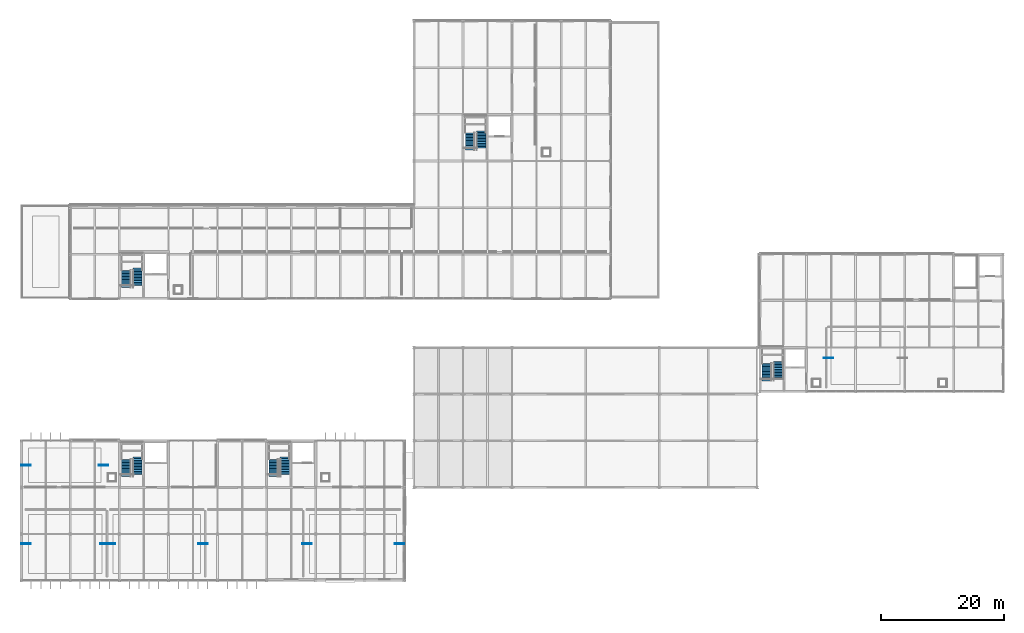
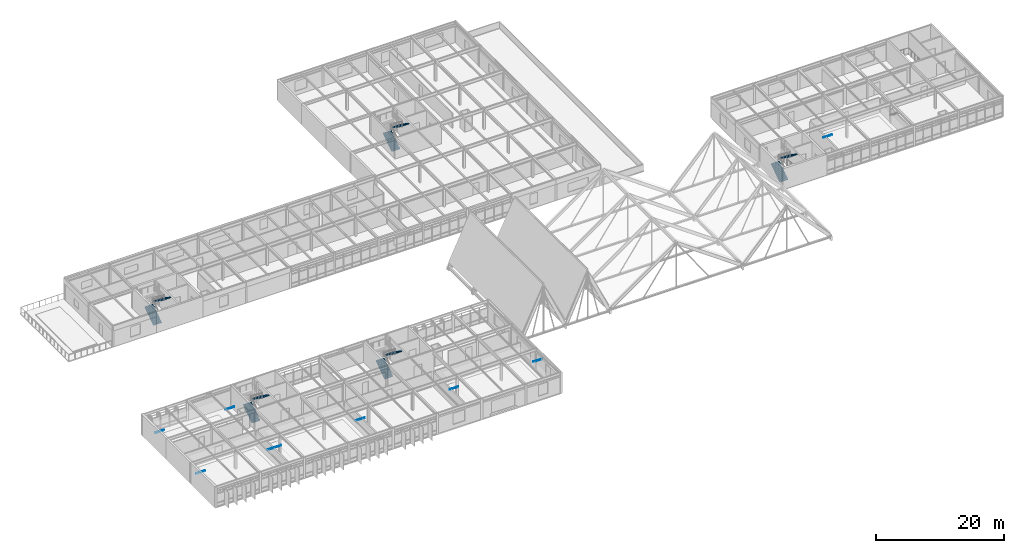
# One storey, part 75 of 85: 10 stair flights, 9 discrete accessories, 5 elements without a shape of their own.
"""IFC4 building model written with IfcOpenShell, lengths in metres."""

from ifc_helpers import new_model, si_unit, direction, frame, origin, origin_2d, place, context, subcontext, project, spatial, polyline, rectangle, outline, extrude, material, layer, layer_set, type_object, element, aggregate, save


model = new_model("IFC4")

# Units and contexts
model_context = context("Model", 3, precision=1e-05, world=origin(), true_north=direction((0.0, 1.0)))
body_context = subcontext(model_context, "Body", "Model", "MODEL_VIEW")
ifc_project = project(units=[si_unit("LENGTHUNIT", "METRE"), si_unit("AREAUNIT", "SQUARE_METRE"), si_unit("VOLUMEUNIT", "CUBIC_METRE"), si_unit("PLANEANGLEUNIT", "RADIAN"), si_unit("MASSUNIT", "GRAM", prefix="KILO")], contexts=[model_context])

# Site, building, storey
site_placement = place(None, origin())
site = spatial("IfcSite", under=ifc_project, at=site_placement, CompositionType="ELEMENT")
building_placement = place(site_placement, origin())
building = spatial("IfcBuilding", under=site, at=building_placement, Name="Zulena Civic Courthouse", CompositionType="ELEMENT")
storey_placement = place(building_placement, frame((0.0, 0.0, 25.199951171875)))
storey = spatial("IfcBuildingStorey", under=building, at=storey_placement, Name="L05", CompositionType="ELEMENT", Elevation=25.199951171875)

# Stair, stair flights
ifc_material_1 = material(Name="Precast concrete C40/50", Category="concrete")
stair_type = type_object("IfcStairType", Name="HalfTurnStair_4200", PredefinedType="HALF_TURN_STAIR", material=ifc_material_1)
stair_1_placement = place(storey_placement, origin())
stair_1 = element("IfcStair", 1, at=stair_1_placement, inside=storey, type_object=stair_type, Name="stair:K2A:L05", PredefinedType="HALF_TURN_STAIR")
stair_flight_type = type_object("IfcStairFlightType", Name="StairFlight_4200", PredefinedType="STRAIGHT", material=ifc_material_1)
stair_flight_1_placement = place(storey_placement, frame((21.1298828125, 16.97998046875, 0.0), z_axis=(0.0, 0.0, 1.0), x_axis=(0.0, 1.0, 0.0)))
stair_flight_1 = element("IfcStairFlight", 2, at=stair_flight_1_placement, type_object=stair_flight_type, Name="stair:K2A:L05:F1", NumberOfRisers=12, NumberOfTreads=11, PredefinedType="STRAIGHT", RiserHeight=0.175, TreadLength=0.255, context=body_context, shape_type="SweptSolid", body=[
    extrude(outline(polyline([(0.0, 0.0), (0.0, 0.175048828125), (0.2548828125, 0.175048828125), (0.2548828125, 0.35009765625), (0.510009765625, 0.35009765625), (0.510009765625, 0.52490234375), (0.764892578125, 0.52490234375), (0.764892578125, 0.699951171875), (1.02001953125, 0.699951171875), (1.02001953125, 0.875), (1.27490234375, 0.875), (1.27490234375, 1.050048828125), (1.530029296875, 1.050048828125), (1.530029296875, 1.22509765625), (1.784912109375, 1.22509765625), (1.784912109375, 1.39990234375), (2.0400390625, 1.39990234375), (2.0400390625, 1.574951171875), (2.294921875, 1.574951171875), (2.294921875, 1.75), (2.550048828125, 1.75), (2.550048828125, 1.925048828125), (2.804931640625, 1.925048828125), (2.804931640625, 2.10009765625), (2.804931640625, 1.797607421875), (0.185546875, 0.0), (0.0, 0.0)])), frame((0.0, 0.75, 0.0), z_axis=(0.0, -1.0, 0.0), x_axis=(1.0, 0.0, 0.0)), (0.0, 0.0, 1.0), 1.5),
])
stair_flight_2_placement = place(storey_placement, frame((22.969970703125, 20.124755859375, 2.10009765625), z_axis=(0.0, 0.0, 1.0), x_axis=(0.0, -1.0, 0.0)))
stair_flight_2 = element("IfcStairFlight", 3, at=stair_flight_2_placement, type_object=stair_flight_type, Name="stair:K2A:L05:F2", NumberOfRisers=12, NumberOfTreads=11, PredefinedType="STRAIGHT", RiserHeight=0.175, TreadLength=0.255, context=body_context, shape_type="SweptSolid", body=[
    extrude(outline(polyline([(0.0, 0.0), (0.0, 0.175048828125), (0.2548828125, 0.175048828125), (0.2548828125, 0.35009765625), (0.510009765625, 0.35009765625), (0.510009765625, 0.52490234375), (0.764892578125, 0.52490234375), (0.764892578125, 0.699951171875), (1.02001953125, 0.699951171875), (1.02001953125, 0.875), (1.27490234375, 0.875), (1.27490234375, 1.050048828125), (1.530029296875, 1.050048828125), (1.530029296875, 1.22509765625), (1.784912109375, 1.22509765625), (1.784912109375, 1.39990234375), (2.0400390625, 1.39990234375), (2.0400390625, 1.574951171875), (2.294921875, 1.574951171875), (2.294921875, 1.75), (2.550048828125, 1.75), (2.550048828125, 1.925048828125), (2.804931640625, 1.925048828125), (2.804931640625, 2.10009765625), (2.804931640625, 1.797607421875), (0.185546875, 0.0), (0.0, 0.0)])), frame((0.0, 0.75, 0.0), z_axis=(0.0, -1.0, 0.0), x_axis=(1.0, 0.0, 0.0)), (0.0, 0.0, 1.0), 1.5),
])
aggregate(stair_1, [stair_flight_1, stair_flight_2])

stair_2_placement = place(storey_placement, origin())
stair_2 = element("IfcStair", 4, at=stair_2_placement, inside=storey, type_object=stair_type, Name="stair:K2B:L05", PredefinedType="HALF_TURN_STAIR")
stair_flight_3_placement = place(storey_placement, frame((45.1298828125, 16.97998046875, 0.0), z_axis=(0.0, 0.0, 1.0), x_axis=(0.0, 1.0, 0.0)))
stair_flight_3 = element("IfcStairFlight", 5, at=stair_flight_3_placement, type_object=stair_flight_type, Name="stair:K2B:L05:F1", NumberOfRisers=12, NumberOfTreads=11, PredefinedType="STRAIGHT", RiserHeight=0.175, TreadLength=0.255, context=body_context, shape_type="SweptSolid", body=[
    extrude(outline(polyline([(0.0, 0.0), (0.0, 0.175048828125), (0.2548828125, 0.175048828125), (0.2548828125, 0.35009765625), (0.510009765625, 0.35009765625), (0.510009765625, 0.52490234375), (0.764892578125, 0.52490234375), (0.764892578125, 0.699951171875), (1.02001953125, 0.699951171875), (1.02001953125, 0.875), (1.27490234375, 0.875), (1.27490234375, 1.050048828125), (1.530029296875, 1.050048828125), (1.530029296875, 1.22509765625), (1.784912109375, 1.22509765625), (1.784912109375, 1.39990234375), (2.0400390625, 1.39990234375), (2.0400390625, 1.574951171875), (2.294921875, 1.574951171875), (2.294921875, 1.75), (2.550048828125, 1.75), (2.550048828125, 1.925048828125), (2.804931640625, 1.925048828125), (2.804931640625, 2.10009765625), (2.804931640625, 1.797607421875), (0.185546875, 0.0), (0.0, 0.0)])), frame((0.0, 0.75, 0.0), z_axis=(0.0, -1.0, 0.0), x_axis=(1.0, 0.0, 0.0)), (0.0, 0.0, 1.0), 1.5),
])
stair_flight_4_placement = place(storey_placement, frame((46.969970703125, 20.124755859375, 2.10009765625), z_axis=(0.0, 0.0, 1.0), x_axis=(0.0, -1.0, 0.0)))
stair_flight_4 = element("IfcStairFlight", 6, at=stair_flight_4_placement, type_object=stair_flight_type, Name="stair:K2B:L05:F2", NumberOfRisers=12, NumberOfTreads=11, PredefinedType="STRAIGHT", RiserHeight=0.175, TreadLength=0.255, context=body_context, shape_type="SweptSolid", body=[
    extrude(outline(polyline([(0.0, 0.0), (0.0, 0.175048828125), (0.2548828125, 0.175048828125), (0.2548828125, 0.35009765625), (0.510009765625, 0.35009765625), (0.510009765625, 0.52490234375), (0.764892578125, 0.52490234375), (0.764892578125, 0.699951171875), (1.02001953125, 0.699951171875), (1.02001953125, 0.875), (1.27490234375, 0.875), (1.27490234375, 1.050048828125), (1.530029296875, 1.050048828125), (1.530029296875, 1.22509765625), (1.784912109375, 1.22509765625), (1.784912109375, 1.39990234375), (2.0400390625, 1.39990234375), (2.0400390625, 1.574951171875), (2.294921875, 1.574951171875), (2.294921875, 1.75), (2.550048828125, 1.75), (2.550048828125, 1.925048828125), (2.804931640625, 1.925048828125), (2.804931640625, 2.10009765625), (2.804931640625, 1.797607421875), (0.185546875, 0.0), (0.0, 0.0)])), frame((0.0, 0.75, 0.0), z_axis=(0.0, -1.0, 0.0), x_axis=(1.0, 0.0, 0.0)), (0.0, 0.0, 1.0), 1.5),
])
aggregate(stair_2, [stair_flight_3, stair_flight_4])

stair_3_placement = place(storey_placement, origin())
stair_3 = element("IfcStair", 7, at=stair_3_placement, inside=storey, type_object=stair_type, Name="stair:K3A:L05", PredefinedType="HALF_TURN_STAIR")
stair_flight_5_placement = place(storey_placement, frame((125.530029296875, 32.580078125, 0.0), z_axis=(0.0, 0.0, 1.0), x_axis=(0.0, 1.0, 0.0)))
stair_flight_5 = element("IfcStairFlight", 8, at=stair_flight_5_placement, type_object=stair_flight_type, Name="stair:K3A:L05:F1", NumberOfRisers=12, NumberOfTreads=11, PredefinedType="STRAIGHT", RiserHeight=0.175, TreadLength=0.255, context=body_context, shape_type="SweptSolid", body=[
    extrude(outline(polyline([(0.0, 0.0), (0.0, 0.175048828125), (0.2548828125, 0.175048828125), (0.2548828125, 0.35009765625), (0.510009765625, 0.35009765625), (0.510009765625, 0.52490234375), (0.764892578125, 0.52490234375), (0.764892578125, 0.699951171875), (1.02001953125, 0.699951171875), (1.02001953125, 0.875), (1.27490234375, 0.875), (1.27490234375, 1.050048828125), (1.530029296875, 1.050048828125), (1.530029296875, 1.22509765625), (1.784912109375, 1.22509765625), (1.784912109375, 1.39990234375), (2.0400390625, 1.39990234375), (2.0400390625, 1.574951171875), (2.294921875, 1.574951171875), (2.294921875, 1.75), (2.550048828125, 1.75), (2.550048828125, 1.925048828125), (2.804931640625, 1.925048828125), (2.804931640625, 2.10009765625), (2.804931640625, 1.797607421875), (0.185546875, 0.0), (0.0, 0.0)])), frame((0.0, 0.75, 0.0), z_axis=(0.0, -1.0, 0.0), x_axis=(1.0, 0.0, 0.0)), (0.0, 0.0, 1.0), 1.5),
])
stair_flight_6_placement = place(storey_placement, frame((127.3701171875, 35.724609375, 2.10009765625), z_axis=(0.0, 0.0, 1.0), x_axis=(0.0, -1.0, 0.0)))
stair_flight_6 = element("IfcStairFlight", 9, at=stair_flight_6_placement, type_object=stair_flight_type, Name="stair:K3A:L05:F2", NumberOfRisers=12, NumberOfTreads=11, PredefinedType="STRAIGHT", RiserHeight=0.175, TreadLength=0.255, context=body_context, shape_type="SweptSolid", body=[
    extrude(outline(polyline([(0.0, 0.0), (0.0, 0.175048828125), (0.2548828125, 0.175048828125), (0.2548828125, 0.35009765625), (0.510009765625, 0.35009765625), (0.510009765625, 0.52490234375), (0.764892578125, 0.52490234375), (0.764892578125, 0.699951171875), (1.02001953125, 0.699951171875), (1.02001953125, 0.875), (1.27490234375, 0.875), (1.27490234375, 1.050048828125), (1.530029296875, 1.050048828125), (1.530029296875, 1.22509765625), (1.784912109375, 1.22509765625), (1.784912109375, 1.39990234375), (2.0400390625, 1.39990234375), (2.0400390625, 1.574951171875), (2.294921875, 1.574951171875), (2.294921875, 1.75), (2.550048828125, 1.75), (2.550048828125, 1.925048828125), (2.804931640625, 1.925048828125), (2.804931640625, 2.10009765625), (2.804931640625, 1.797607421875), (0.185546875, 0.0), (0.0, 0.0)])), frame((0.0, 0.75, 0.0), z_axis=(0.0, -1.0, 0.0), x_axis=(1.0, 0.0, 0.0)), (0.0, 0.0, 1.0), 1.5),
])
aggregate(stair_3, [stair_flight_5, stair_flight_6])

stair_4_placement = place(storey_placement, origin())
stair_4 = element("IfcStair", 10, at=stair_4_placement, inside=storey, type_object=stair_type, Name="stair:K5A:L05", PredefinedType="HALF_TURN_STAIR")
stair_flight_7_placement = place(storey_placement, frame((21.1298828125, 47.780029296875, 0.0), z_axis=(0.0, 0.0, 1.0), x_axis=(0.0, 1.0, 0.0)))
stair_flight_7 = element("IfcStairFlight", 11, at=stair_flight_7_placement, type_object=stair_flight_type, Name="stair:K5A:L05:F1", NumberOfRisers=12, NumberOfTreads=11, PredefinedType="STRAIGHT", RiserHeight=0.175, TreadLength=0.255, context=body_context, shape_type="SweptSolid", body=[
    extrude(outline(polyline([(0.0, 0.0), (0.0, 0.175048828125), (0.2548828125, 0.175048828125), (0.2548828125, 0.35009765625), (0.510009765625, 0.35009765625), (0.510009765625, 0.52490234375), (0.764892578125, 0.52490234375), (0.764892578125, 0.699951171875), (1.02001953125, 0.699951171875), (1.02001953125, 0.875), (1.27490234375, 0.875), (1.27490234375, 1.050048828125), (1.530029296875, 1.050048828125), (1.530029296875, 1.22509765625), (1.784912109375, 1.22509765625), (1.784912109375, 1.39990234375), (2.0400390625, 1.39990234375), (2.0400390625, 1.574951171875), (2.294921875, 1.574951171875), (2.294921875, 1.75), (2.550048828125, 1.75), (2.550048828125, 1.925048828125), (2.804931640625, 1.925048828125), (2.804931640625, 2.10009765625), (2.804931640625, 1.797607421875), (0.185546875, 0.0), (0.0, 0.0)])), frame((0.0, 0.75, 0.0), z_axis=(0.0, -1.0, 0.0), x_axis=(1.0, 0.0, 0.0)), (0.0, 0.0, 1.0), 1.5),
])
stair_flight_8_placement = place(storey_placement, frame((22.969970703125, 50.9248046875, 2.10009765625), z_axis=(0.0, 0.0, 1.0), x_axis=(0.0, -1.0, 0.0)))
stair_flight_8 = element("IfcStairFlight", 12, at=stair_flight_8_placement, type_object=stair_flight_type, Name="stair:K5A:L05:F2", NumberOfRisers=12, NumberOfTreads=11, PredefinedType="STRAIGHT", RiserHeight=0.175, TreadLength=0.255, context=body_context, shape_type="SweptSolid", body=[
    extrude(outline(polyline([(0.0, 0.0), (0.0, 0.175048828125), (0.2548828125, 0.175048828125), (0.2548828125, 0.35009765625), (0.510009765625, 0.35009765625), (0.510009765625, 0.52490234375), (0.764892578125, 0.52490234375), (0.764892578125, 0.699951171875), (1.02001953125, 0.699951171875), (1.02001953125, 0.875), (1.27490234375, 0.875), (1.27490234375, 1.050048828125), (1.530029296875, 1.050048828125), (1.530029296875, 1.22509765625), (1.784912109375, 1.22509765625), (1.784912109375, 1.39990234375), (2.0400390625, 1.39990234375), (2.0400390625, 1.574951171875), (2.294921875, 1.574951171875), (2.294921875, 1.75), (2.550048828125, 1.75), (2.550048828125, 1.925048828125), (2.804931640625, 1.925048828125), (2.804931640625, 2.10009765625), (2.804931640625, 1.797607421875), (0.185546875, 0.0), (0.0, 0.0)])), frame((0.0, 0.75, 0.0), z_axis=(0.0, -1.0, 0.0), x_axis=(1.0, 0.0, 0.0)), (0.0, 0.0, 1.0), 1.5),
])
aggregate(stair_4, [stair_flight_7, stair_flight_8])

stair_5_placement = place(storey_placement, origin())
stair_5 = element("IfcStair", 13, at=stair_5_placement, inside=storey, type_object=stair_type, Name="stair:K5B:L05", PredefinedType="HALF_TURN_STAIR")
stair_flight_9_placement = place(storey_placement, frame((77.1298828125, 70.179931640625, 0.0), z_axis=(0.0, 0.0, 1.0), x_axis=(0.0, 1.0, 0.0)))
stair_flight_9 = element("IfcStairFlight", 14, at=stair_flight_9_placement, type_object=stair_flight_type, Name="stair:K5B:L05:F1", NumberOfRisers=12, NumberOfTreads=11, PredefinedType="STRAIGHT", RiserHeight=0.175, TreadLength=0.255, context=body_context, shape_type="SweptSolid", body=[
    extrude(outline(polyline([(0.0, 0.0), (0.0, 0.175048828125), (0.2548828125, 0.175048828125), (0.2548828125, 0.35009765625), (0.510009765625, 0.35009765625), (0.510009765625, 0.52490234375), (0.764892578125, 0.52490234375), (0.764892578125, 0.699951171875), (1.02001953125, 0.699951171875), (1.02001953125, 0.875), (1.27490234375, 0.875), (1.27490234375, 1.050048828125), (1.530029296875, 1.050048828125), (1.530029296875, 1.22509765625), (1.784912109375, 1.22509765625), (1.784912109375, 1.39990234375), (2.0400390625, 1.39990234375), (2.0400390625, 1.574951171875), (2.294921875, 1.574951171875), (2.294921875, 1.75), (2.550048828125, 1.75), (2.550048828125, 1.925048828125), (2.804931640625, 1.925048828125), (2.804931640625, 2.10009765625), (2.804931640625, 1.797607421875), (0.185546875, 0.0), (0.0, 0.0)])), frame((0.0, 0.75, 0.0), z_axis=(0.0, -1.0, 0.0), x_axis=(1.0, 0.0, 0.0)), (0.0, 0.0, 1.0), 1.5),
])
stair_flight_10_placement = place(storey_placement, frame((78.969970703125, 73.32470703125, 2.10009765625), z_axis=(0.0, 0.0, 1.0), x_axis=(0.0, -1.0, 0.0)))
stair_flight_10 = element("IfcStairFlight", 15, at=stair_flight_10_placement, type_object=stair_flight_type, Name="stair:K5B:L05:F2", NumberOfRisers=12, NumberOfTreads=11, PredefinedType="STRAIGHT", RiserHeight=0.175, TreadLength=0.255, context=body_context, shape_type="SweptSolid", body=[
    extrude(outline(polyline([(0.0, 0.0), (0.0, 0.175048828125), (0.2548828125, 0.175048828125), (0.2548828125, 0.35009765625), (0.510009765625, 0.35009765625), (0.510009765625, 0.52490234375), (0.764892578125, 0.52490234375), (0.764892578125, 0.699951171875), (1.02001953125, 0.699951171875), (1.02001953125, 0.875), (1.27490234375, 0.875), (1.27490234375, 1.050048828125), (1.530029296875, 1.050048828125), (1.530029296875, 1.22509765625), (1.784912109375, 1.22509765625), (1.784912109375, 1.39990234375), (2.0400390625, 1.39990234375), (2.0400390625, 1.574951171875), (2.294921875, 1.574951171875), (2.294921875, 1.75), (2.550048828125, 1.75), (2.550048828125, 1.925048828125), (2.804931640625, 1.925048828125), (2.804931640625, 2.10009765625), (2.804931640625, 1.797607421875), (0.185546875, 0.0), (0.0, 0.0)])), frame((0.0, 0.75, 0.0), z_axis=(0.0, -1.0, 0.0), x_axis=(1.0, 0.0, 0.0)), (0.0, 0.0, 1.0), 1.5),
])
aggregate(stair_5, [stair_flight_9, stair_flight_10])

# Discrete accessories
ifc_material_2 = material(Name="Gold anodised architectural aluminium AA6063-T6", Category="aluminium")
ifc_layer = layer(ifc_material_2, 0.1201171875)
ifc_layer_set = layer_set([ifc_layer], Name="Gold anodised architectural aluminium AA6063-T6")
discrete_accessory_type = type_object("IfcDiscreteAccessoryType", Name="FinOutriggerBracket", PredefinedType="BRACKET", material=ifc_layer_set)
for number, where, z_axis, x_axis, name in (
    (16, (135.550048828125, 36.300048828125, 2.7900390625), (0.0, 0.0, 1.0), (1.0, 0.0, 0.0), "hng:ceil:L05:284:0"),
    (17, (4.75, 6.0, 2.7900390625), (0.0, 0.0, 1.0), (1.0, 0.0, 0.0), "hng:ceil:L05:332:0"),
    (18, (17.64990234375, 6.0, 2.7900390625), (0.0, 0.0, 1.0), (1.0, 0.0, 0.0), "hng:ceil:L05:332:1"),
    (19, (18.550048828125, 6.0, 2.7900390625), (0.0, 0.0, 1.0), (1.0, 0.0, 0.0), "hng:ceil:L05:333:0"),
    (20, (33.64990234375, 6.0, 2.7900390625), (0.0, 0.0, 1.0), (1.0, 0.0, 0.0), "hng:ceil:L05:333:1"),
    (21, (50.550048828125, 6.0, 2.7900390625), (0.0, 0.0, 1.0), (1.0, 0.0, 0.0), "hng:ceil:L05:335:0"),
    (22, (65.64990234375, 6.0, 2.7900390625), (0.0, 0.0, 1.0), (1.0, 0.0, 0.0), "hng:ceil:L05:335:1"),
    (23, (4.75, 18.800048828125, 2.7900390625), (0.0, 0.0, 1.0), (1.0, 0.0, 0.0), "hng:ceil:L05:336:0"),
    (24, (17.449951171875, 18.800048828125, 2.7900390625), (0.0, 0.0, 1.0), (1.0, 0.0, 0.0), "hng:ceil:L05:336:1"),
):
    element("IfcDiscreteAccessory", number, at=place(storey_placement, frame(where, z_axis=z_axis, x_axis=x_axis)), inside=storey, type_object=discrete_accessory_type, Name=name, PredefinedType="BRACKET", context=body_context, shape_type="SweptSolid", body=[
        extrude(rectangle(XDim=1.550048828125, YDim=0.1201171875, at=origin_2d()), origin(), (0.0, 0.0, 1.0), 0.080078125),
    ])

save(model, "model.ifc")
